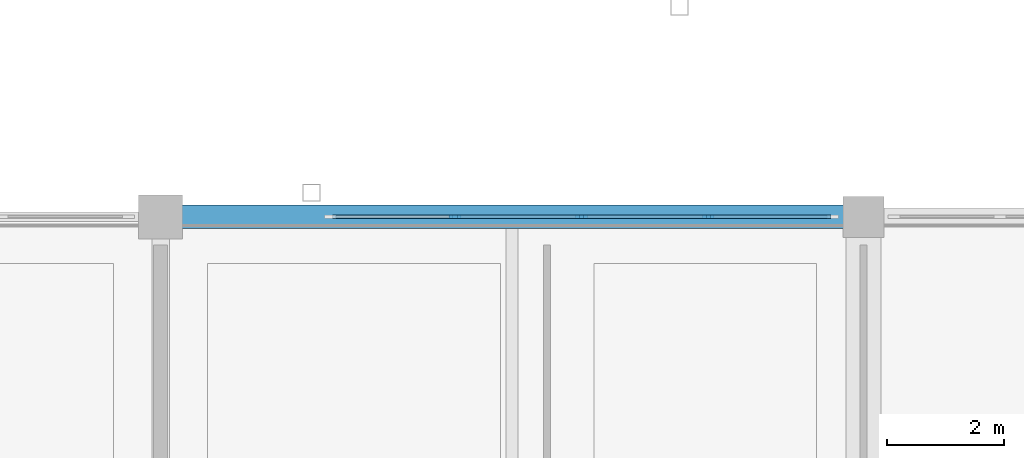
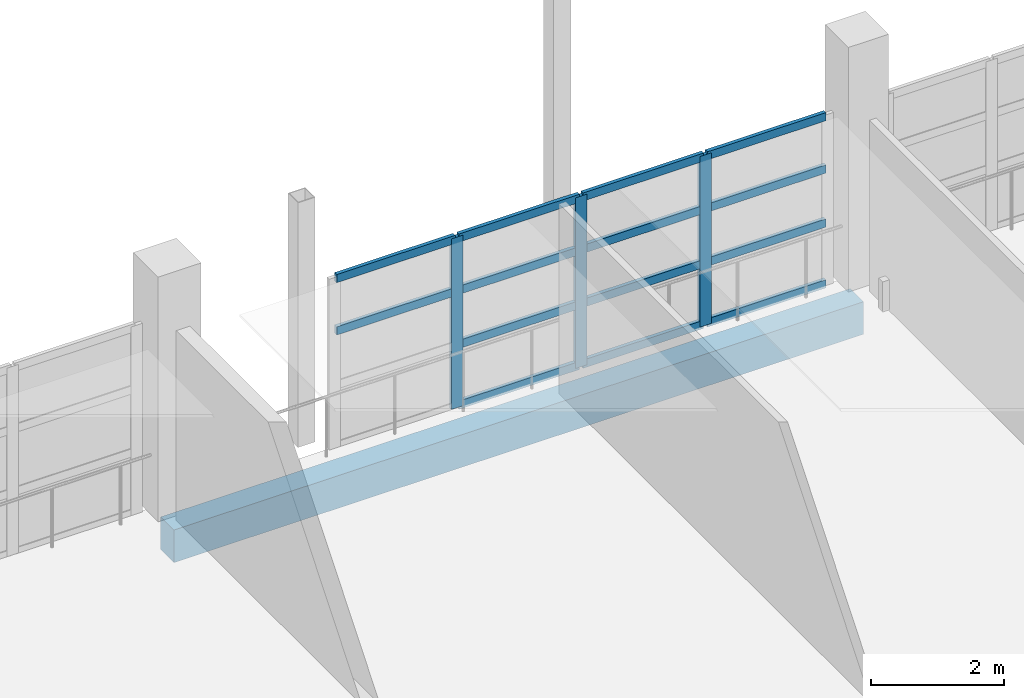
# One storey, part 36 of 118: 17 members, 1 beam, 1 element without a shape of its own.
"""IFC4 building model written with IfcOpenShell, lengths in metres."""

from ifc_helpers import new_model, si_unit, direction, frame, origin, origin_2d, place, context, subcontext, project, spatial, rectangle, extrude, material, material_profile, profile_set, type_object, element, aggregate, save


model = new_model("IFC4")

# Units and contexts
model_context = context("Model", 3, precision=1e-05, world=origin(), true_north=direction((0.0, 1.0)))
body_context = subcontext(model_context, "Body", "Model", "MODEL_VIEW")
ifc_project = project(units=[si_unit("LENGTHUNIT", "METRE"), si_unit("AREAUNIT", "SQUARE_METRE"), si_unit("VOLUMEUNIT", "CUBIC_METRE"), si_unit("PLANEANGLEUNIT", "RADIAN"), si_unit("MASSUNIT", "GRAM", prefix="KILO")], contexts=[model_context])

# Site, building, storey
site_placement = place(None, origin())
site = spatial("IfcSite", under=ifc_project, at=site_placement, CompositionType="ELEMENT")
building_placement = place(site_placement, origin())
building = spatial("IfcBuilding", under=site, at=building_placement, Name="Luwafu Chhajja Arena", CompositionType="ELEMENT")
storey_placement = place(building_placement, frame((0.0, 0.0, 10.199951171875)))
storey = spatial("IfcBuildingStorey", under=building, at=storey_placement, Name="L02", CompositionType="ELEMENT", Elevation=10.199951171875)

# Curtain wall, members
ifc_material_1 = material(Name="Anodised bronze aluminium", Category="aluminium")
curtain_wall_type = type_object("IfcCurtainWallType", Name="Hospitality Ring Curtain Wall", PredefinedType="USERDEFINED", material=ifc_material_1)
curtain_wall_placement = place(storey_placement, origin())
curtain_wall = element("IfcCurtainWall", 1, at=curtain_wall_placement, inside=storey, type_object=curtain_wall_type, Name="L02 Bowl Viewing Curtain Wall CWR-L02-06", ObjectType="CURTAIN WALL", PredefinedType="USERDEFINED")
ifc_material_profile_1 = material_profile(ifc_material_1, rectangle(XDim=0.06494140625, YDim=0.199951171875, at=origin_2d()), Name="CWM 65x200")
ifc_profile_set_1 = profile_set([ifc_material_profile_1], Name="Anodised bronze aluminium")
member_type_1 = type_object("IfcMemberType", Name="Bronze Curtain Wall Mullion 65x200", PredefinedType="MULLION", material=ifc_profile_set_1)
member_1_placement = place(storey_placement, frame((121.02734375, 22.0, 0.0), z_axis=(0.0, 0.0, 1.0), x_axis=(0.0, 1.0, 0.0)))
member_1 = element("IfcMember", 2, at=member_1_placement, type_object=member_type_1, Name="CW-02 mullion 2", PredefinedType="MULLION", context=body_context, shape_type="SweptSolid", body=[
    extrude(rectangle(XDim=0.06494140625, YDim=0.199951171875, at=origin_2d()), origin(), (0.0, 0.0, 1.0), 3.14013671875),
])
member_2_placement = place(storey_placement, frame((123.188232421875, 22.0, 0.0), z_axis=(0.0, 0.0, 1.0), x_axis=(0.0, 1.0, 0.0)))
member_2 = element("IfcMember", 3, at=member_2_placement, type_object=member_type_1, Name="CW-02 mullion 3", PredefinedType="MULLION", context=body_context, shape_type="SweptSolid", body=[
    extrude(rectangle(XDim=0.06494140625, YDim=0.199951171875, at=origin_2d()), origin(), (0.0, 0.0, 1.0), 3.14013671875),
])
member_3_placement = place(storey_placement, frame((125.34912109375, 22.0, 0.0), z_axis=(0.0, 0.0, 1.0), x_axis=(0.0, 1.0, 0.0)))
member_3 = element("IfcMember", 4, at=member_3_placement, type_object=member_type_1, Name="CW-02 mullion 4", PredefinedType="MULLION", context=body_context, shape_type="SweptSolid", body=[
    extrude(rectangle(XDim=0.06494140625, YDim=0.199951171875, at=origin_2d()), origin(), (0.0, 0.0, 1.0), 3.14013671875),
])
ifc_material_profile_2 = material_profile(ifc_material_1, rectangle(XDim=0.06494140625, YDim=0.14990234375, at=origin_2d()), Name="CWT 65x150")
ifc_profile_set_2 = profile_set([ifc_material_profile_2], Name="Anodised bronze aluminium")
member_type_2 = type_object("IfcMemberType", Name="Bronze Curtain Wall Transom 65x150", PredefinedType="USERDEFINED", material=ifc_profile_set_2)
member_4_placement = place(storey_placement, frame((118.931640625, 22.0, 2.14501953125), z_axis=(1.0, 0.0, 0.0), x_axis=(0.0, 1.0, 0.0)))
member_4 = element("IfcMember", 5, at=member_4_placement, type_object=member_type_2, Name="CW-02 transom 1.3", ObjectType="TRANSOM", PredefinedType="USERDEFINED", context=body_context, shape_type="SweptSolid", body=[
    extrude(rectangle(XDim=0.06494140625, YDim=0.14990234375, at=origin_2d()), origin(), (0.0, 0.0, 1.0), 2.063232421875),
])
member_5_placement = place(storey_placement, frame((118.931640625, 22.0, 3.107666015625), z_axis=(1.0, 0.0, 0.0), x_axis=(0.0, 1.0, 0.0)))
member_5 = element("IfcMember", 6, at=member_5_placement, type_object=member_type_2, Name="CW-02 transom 1.4", ObjectType="TRANSOM", PredefinedType="USERDEFINED", context=body_context, shape_type="SweptSolid", body=[
    extrude(rectangle(XDim=0.06494140625, YDim=0.14990234375, at=origin_2d()), origin(), (0.0, 0.0, 1.0), 2.063232421875),
])
member_6_placement = place(storey_placement, frame((121.06005859375, 22.0, 0.032470703125), z_axis=(1.0, 0.0, 0.0), x_axis=(0.0, 1.0, 0.0)))
member_6 = element("IfcMember", 7, at=member_6_placement, type_object=member_type_2, Name="CW-02 transom 2.1", ObjectType="TRANSOM", PredefinedType="USERDEFINED", context=body_context, shape_type="SweptSolid", body=[
    extrude(rectangle(XDim=0.06494140625, YDim=0.14990234375, at=origin_2d()), origin(), (0.0, 0.0, 1.0), 2.095703125),
])
member_7_placement = place(storey_placement, frame((121.06005859375, 22.0, 1.150146484375), z_axis=(1.0, 0.0, 0.0), x_axis=(0.0, 1.0, 0.0)))
member_7 = element("IfcMember", 8, at=member_7_placement, type_object=member_type_2, Name="CW-02 transom 2.2", ObjectType="TRANSOM", PredefinedType="USERDEFINED", context=body_context, shape_type="SweptSolid", body=[
    extrude(rectangle(XDim=0.06494140625, YDim=0.14990234375, at=origin_2d()), origin(), (0.0, 0.0, 1.0), 2.095703125),
])
member_8_placement = place(storey_placement, frame((121.06005859375, 22.0, 2.14501953125), z_axis=(1.0, 0.0, 0.0), x_axis=(0.0, 1.0, 0.0)))
member_8 = element("IfcMember", 9, at=member_8_placement, type_object=member_type_2, Name="CW-02 transom 2.3", ObjectType="TRANSOM", PredefinedType="USERDEFINED", context=body_context, shape_type="SweptSolid", body=[
    extrude(rectangle(XDim=0.06494140625, YDim=0.14990234375, at=origin_2d()), origin(), (0.0, 0.0, 1.0), 2.095703125),
])
member_9_placement = place(storey_placement, frame((121.06005859375, 22.0, 3.107666015625), z_axis=(1.0, 0.0, 0.0), x_axis=(0.0, 1.0, 0.0)))
member_9 = element("IfcMember", 10, at=member_9_placement, type_object=member_type_2, Name="CW-02 transom 2.4", ObjectType="TRANSOM", PredefinedType="USERDEFINED", context=body_context, shape_type="SweptSolid", body=[
    extrude(rectangle(XDim=0.06494140625, YDim=0.14990234375, at=origin_2d()), origin(), (0.0, 0.0, 1.0), 2.095703125),
])
member_10_placement = place(storey_placement, frame((123.220703125, 22.0, 0.032470703125), z_axis=(1.0, 0.0, 0.0), x_axis=(0.0, 1.0, 0.0)))
member_10 = element("IfcMember", 11, at=member_10_placement, type_object=member_type_2, Name="CW-02 transom 3.1", ObjectType="TRANSOM", PredefinedType="USERDEFINED", context=body_context, shape_type="SweptSolid", body=[
    extrude(rectangle(XDim=0.06494140625, YDim=0.14990234375, at=origin_2d()), origin(), (0.0, 0.0, 1.0), 2.095947265625),
])
member_11_placement = place(storey_placement, frame((123.220703125, 22.0, 1.150146484375), z_axis=(1.0, 0.0, 0.0), x_axis=(0.0, 1.0, 0.0)))
member_11 = element("IfcMember", 12, at=member_11_placement, type_object=member_type_2, Name="CW-02 transom 3.2", ObjectType="TRANSOM", PredefinedType="USERDEFINED", context=body_context, shape_type="SweptSolid", body=[
    extrude(rectangle(XDim=0.06494140625, YDim=0.14990234375, at=origin_2d()), origin(), (0.0, 0.0, 1.0), 2.095947265625),
])
member_12_placement = place(storey_placement, frame((123.220703125, 22.0, 2.14501953125), z_axis=(1.0, 0.0, 0.0), x_axis=(0.0, 1.0, 0.0)))
member_12 = element("IfcMember", 13, at=member_12_placement, type_object=member_type_2, Name="CW-02 transom 3.3", ObjectType="TRANSOM", PredefinedType="USERDEFINED", context=body_context, shape_type="SweptSolid", body=[
    extrude(rectangle(XDim=0.06494140625, YDim=0.14990234375, at=origin_2d()), origin(), (0.0, 0.0, 1.0), 2.095947265625),
])
member_13_placement = place(storey_placement, frame((123.220703125, 22.0, 3.107666015625), z_axis=(1.0, 0.0, 0.0), x_axis=(0.0, 1.0, 0.0)))
member_13 = element("IfcMember", 14, at=member_13_placement, type_object=member_type_2, Name="CW-02 transom 3.4", ObjectType="TRANSOM", PredefinedType="USERDEFINED", context=body_context, shape_type="SweptSolid", body=[
    extrude(rectangle(XDim=0.06494140625, YDim=0.14990234375, at=origin_2d()), origin(), (0.0, 0.0, 1.0), 2.095947265625),
])
member_14_placement = place(storey_placement, frame((125.381591796875, 22.0, 0.032470703125), z_axis=(1.0, 0.0, 0.0), x_axis=(0.0, 1.0, 0.0)))
member_14 = element("IfcMember", 15, at=member_14_placement, type_object=member_type_2, Name="CW-02 transom 4.1", ObjectType="TRANSOM", PredefinedType="USERDEFINED", context=body_context, shape_type="SweptSolid", body=[
    extrude(rectangle(XDim=0.06494140625, YDim=0.14990234375, at=origin_2d()), origin(), (0.0, 0.0, 1.0), 2.0634765625),
])
member_15_placement = place(storey_placement, frame((125.381591796875, 22.0, 1.150146484375), z_axis=(1.0, 0.0, 0.0), x_axis=(0.0, 1.0, 0.0)))
member_15 = element("IfcMember", 16, at=member_15_placement, type_object=member_type_2, Name="CW-02 transom 4.2", ObjectType="TRANSOM", PredefinedType="USERDEFINED", context=body_context, shape_type="SweptSolid", body=[
    extrude(rectangle(XDim=0.06494140625, YDim=0.14990234375, at=origin_2d()), origin(), (0.0, 0.0, 1.0), 2.0634765625),
])
member_16_placement = place(storey_placement, frame((125.381591796875, 22.0, 2.14501953125), z_axis=(1.0, 0.0, 0.0), x_axis=(0.0, 1.0, 0.0)))
member_16 = element("IfcMember", 17, at=member_16_placement, type_object=member_type_2, Name="CW-02 transom 4.3", ObjectType="TRANSOM", PredefinedType="USERDEFINED", context=body_context, shape_type="SweptSolid", body=[
    extrude(rectangle(XDim=0.06494140625, YDim=0.14990234375, at=origin_2d()), origin(), (0.0, 0.0, 1.0), 2.0634765625),
])
member_17_placement = place(storey_placement, frame((125.381591796875, 22.0, 3.107666015625), z_axis=(1.0, 0.0, 0.0), x_axis=(0.0, 1.0, 0.0)))
member_17 = element("IfcMember", 18, at=member_17_placement, type_object=member_type_2, Name="CW-02 transom 4.4", ObjectType="TRANSOM", PredefinedType="USERDEFINED", context=body_context, shape_type="SweptSolid", body=[
    extrude(rectangle(XDim=0.06494140625, YDim=0.14990234375, at=origin_2d()), origin(), (0.0, 0.0, 1.0), 2.0634765625),
])
aggregate(curtain_wall, [member_1, member_2, member_3, member_4, member_5, member_6, member_7, member_8, member_9, member_10, member_11, member_12, member_13, member_14, member_15, member_16, member_17])

# Beam
ifc_material_2 = material(Name="Concrete C35/45", Category="concrete")
ifc_material_profile_3 = material_profile(ifc_material_2, rectangle(XDim=0.39990234375, YDim=0.60009765625, at=origin_2d()), Name="RC 400x600")
ifc_profile_set_3 = profile_set([ifc_material_profile_3], Name="Concrete C35/45")
beam_type = type_object("IfcBeamType", Name="Podium Perimeter Spandrel RC 400x600", PredefinedType="SPANDREL", material=ifc_profile_set_3)
beam_placement = place(storey_placement, frame((116.0, 22.0, -0.68994140625), z_axis=(1.0, 0.0, 0.0), x_axis=(0.0, 1.0, 0.0)))
element("IfcBeam", 19, at=beam_placement, inside=storey, type_object=beam_type, Name="L02 Grid Beam 11-12/C", PredefinedType="SPANDREL", context=body_context, shape_type="SweptSolid", body=[
    extrude(rectangle(XDim=0.39990234375, YDim=0.60009765625, at=origin_2d()), origin(), (0.0, 0.0, 1.0), 12.0),
])

save(model, "model.ifc")
